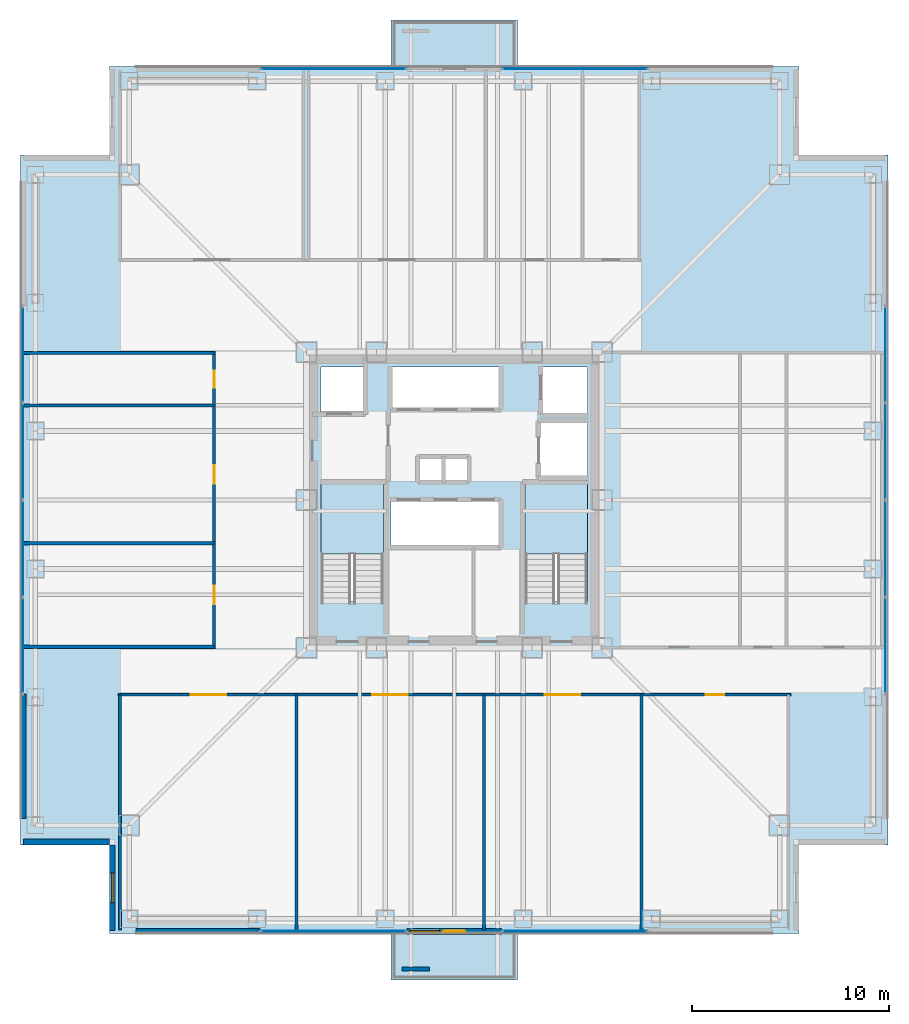
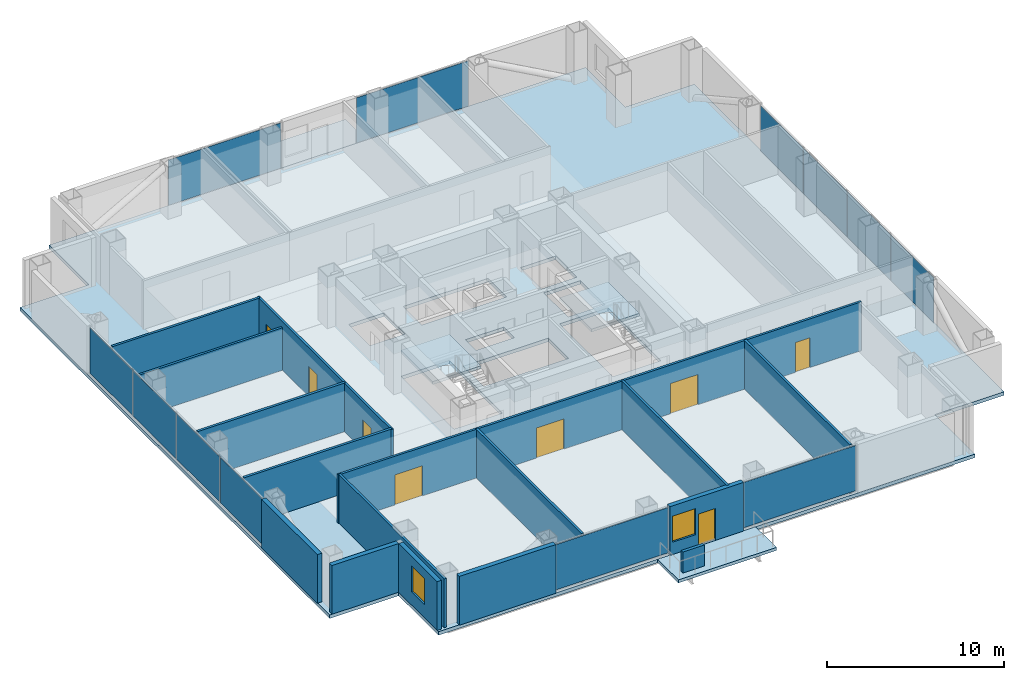
# One storey, part 9 of 14: 16 walls, 12 plates, 8 doors, 5 slabs, 2 windows, 10 openings, 8 elements without a shape of their own.
"""IFC4 building model written with IfcOpenShell, lengths in metres."""

from ifc_helpers import new_model, si_unit, direction, frame, frame_2d, origin, origin_2d, place, context, subcontext, project, spatial, polyline, rectangle, outline, extrude, material, layer, layer_set, type_object, element, fill, aggregate, save


model = new_model("IFC4")

# Units and contexts
model_context = context("Model", 3, precision=1e-05, world=origin(), true_north=direction((0.0, 1.0)))
body_context = subcontext(model_context, "Body", "Model", "MODEL_VIEW")
ifc_project = project(units=[si_unit("LENGTHUNIT", "METRE"), si_unit("AREAUNIT", "SQUARE_METRE"), si_unit("VOLUMEUNIT", "CUBIC_METRE"), si_unit("PLANEANGLEUNIT", "RADIAN"), si_unit("MASSUNIT", "GRAM", prefix="KILO")], contexts=[model_context])

# Site, building, storey
site_placement = place(None, origin())
site = spatial("IfcSite", under=ifc_project, at=site_placement, CompositionType="ELEMENT")
building_placement = place(site_placement, origin())
building = spatial("IfcBuilding", under=site, at=building_placement, Name="Trevonay Congress Spire", CompositionType="ELEMENT")
storey_placement = place(building_placement, frame((0.0, 0.0, 133.60009765625)))
storey = spatial("IfcBuildingStorey", under=building, at=storey_placement, Name="L34", CompositionType="ELEMENT", Elevation=133.60009765625)

# Curtain wall, plate
ifc_material_1 = material(Name="Pale Anodised Aluminium EN AW-6063-T6", Category="aluminium")
ifc_layer_1 = layer(ifc_material_1, 0.175048828125, Name="Pale Anodised Aluminium EN AW-6063-T6")
ifc_layer_set_1 = layer_set([ifc_layer_1], Name="Pale Anodised Aluminium EN AW-6063-T6")
curtain_wall_type = type_object("IfcCurtainWallType", Name="CW-SYS03-CONGRESS-PALE-METAL", PredefinedType="NOTDEFINED", material=ifc_layer_set_1)
curtain_wall_1_placement = place(storey_placement, origin())
curtain_wall_1 = element("IfcCurtainWall", 1, at=curtain_wall_1_placement, inside=storey, type_object=curtain_wall_type, Name="L34 SA unitised curtain wall", PredefinedType="NOTDEFINED")
ifc_material_2 = material(Name="Insulated Low-E Vision Glass IGU", Category="glass")
ifc_layer_2 = layer(ifc_material_2, 0.035888671875, Name="Insulated Low-E Vision Glass IGU")
ifc_layer_set_2 = layer_set([ifc_layer_2], Name="Insulated Low-E Vision Glass IGU")
plate_type = type_object("IfcPlateType", Name="CW-PANEL-IGU36-SILVER", PredefinedType="CURTAIN_PANEL", material=ifc_layer_set_2)
plate_1_placement = place(storey_placement, frame((-6.125, -21.8798828125, 0.119873046875), z_axis=(0.0, 0.0, 1.0), x_axis=(1.0, 0.0, 0.0)))
plate_1 = element("IfcPlate", 2, at=plate_1_placement, type_object=plate_type, Name="CW03 panel 1.1", PredefinedType="CURTAIN_PANEL", context=body_context, shape_type="SweptSolid", body=[
    extrude(rectangle(XDim=7.330078125, YDim=0.035888671875, at=origin_2d()), origin(), (0.0, 0.0, 1.0), 3.1201171875),
])
aggregate(curtain_wall_1, [plate_1])

curtain_wall_2_placement = place(storey_placement, origin())
curtain_wall_2 = element("IfcCurtainWall", 3, at=curtain_wall_2_placement, inside=storey, type_object=curtain_wall_type, Name="L34 SB unitised curtain wall", PredefinedType="NOTDEFINED")
plate_2_placement = place(storey_placement, frame((6.125, -21.8798828125, 0.119873046875), z_axis=(0.0, 0.0, 1.0), x_axis=(1.0, 0.0, 0.0)))
plate_2 = element("IfcPlate", 4, at=plate_2_placement, type_object=plate_type, Name="CW03 panel 1.1", PredefinedType="CURTAIN_PANEL", context=body_context, shape_type="SweptSolid", body=[
    extrude(rectangle(XDim=7.330078125, YDim=0.035888671875, at=origin_2d()), origin(), (0.0, 0.0, 1.0), 3.1201171875),
])
aggregate(curtain_wall_2, [plate_2])

curtain_wall_3_placement = place(storey_placement, origin())
curtain_wall_3 = element("IfcCurtainWall", 5, at=curtain_wall_3_placement, inside=storey, type_object=curtain_wall_type, Name="L34 NA unitised curtain wall", PredefinedType="NOTDEFINED")
plate_3_placement = place(storey_placement, frame((-6.125, 21.8798828125, 0.119873046875), z_axis=(0.0, 0.0, 1.0), x_axis=(1.0, 0.0, 0.0)))
plate_3 = element("IfcPlate", 6, at=plate_3_placement, type_object=plate_type, Name="CW03 panel 1.1", PredefinedType="CURTAIN_PANEL", context=body_context, shape_type="SweptSolid", body=[
    extrude(rectangle(XDim=7.330078125, YDim=0.035888671875, at=origin_2d()), origin(), (0.0, 0.0, 1.0), 3.1201171875),
])
aggregate(curtain_wall_3, [plate_3])

curtain_wall_4_placement = place(storey_placement, origin())
curtain_wall_4 = element("IfcCurtainWall", 7, at=curtain_wall_4_placement, inside=storey, type_object=curtain_wall_type, Name="L34 NB unitised curtain wall", PredefinedType="NOTDEFINED")
plate_4_placement = place(storey_placement, frame((6.125, 21.8798828125, 0.119873046875), z_axis=(0.0, 0.0, 1.0), x_axis=(1.0, 0.0, 0.0)))
plate_4 = element("IfcPlate", 8, at=plate_4_placement, type_object=plate_type, Name="CW03 panel 1.1", PredefinedType="CURTAIN_PANEL", context=body_context, shape_type="SweptSolid", body=[
    extrude(rectangle(XDim=7.330078125, YDim=0.035888671875, at=origin_2d()), origin(), (0.0, 0.0, 1.0), 3.1201171875),
])
aggregate(curtain_wall_4, [plate_4])

# Curtain wall, plates
curtain_wall_5_placement = place(storey_placement, origin())
curtain_wall_5 = element("IfcCurtainWall", 9, at=curtain_wall_5_placement, inside=storey, type_object=curtain_wall_type, Name="L34 W unitised curtain wall", PredefinedType="NOTDEFINED")
plate_5_placement = place(storey_placement, frame((-21.8798828125, -7.37255859375, 0.119873046875), z_axis=(0.0, 0.0, 1.0), x_axis=(0.0, 1.0, 0.0)))
plate_5 = element("IfcPlate", 10, at=plate_5_placement, type_object=plate_type, Name="CW03 panel 1.1", PredefinedType="CURTAIN_PANEL", context=body_context, shape_type="SweptSolid", body=[
    extrude(rectangle(XDim=4.8349609375, YDim=0.035888671875, at=origin_2d()), origin(), (0.0, 0.0, 1.0), 3.1201171875),
])
plate_6_placement = place(storey_placement, frame((-21.8798828125, -2.46240234375, 0.119873046875), z_axis=(0.0, 0.0, 1.0), x_axis=(0.0, 1.0, 0.0)))
plate_6 = element("IfcPlate", 11, at=plate_6_placement, type_object=plate_type, Name="CW03 panel 2.1", PredefinedType="CURTAIN_PANEL", context=body_context, shape_type="SweptSolid", body=[
    extrude(rectangle(XDim=4.864990234375, YDim=0.035888671875, at=origin_2d()), origin(), (0.0, 0.0, 1.0), 3.1201171875),
])
plate_7_placement = place(storey_placement, frame((-21.8798828125, 2.46240234375, 0.119873046875), z_axis=(0.0, 0.0, 1.0), x_axis=(0.0, 1.0, 0.0)))
plate_7 = element("IfcPlate", 12, at=plate_7_placement, type_object=plate_type, Name="CW03 panel 3.1", PredefinedType="CURTAIN_PANEL", context=body_context, shape_type="SweptSolid", body=[
    extrude(rectangle(XDim=4.864990234375, YDim=0.035888671875, at=origin_2d()), origin(), (0.0, 0.0, 1.0), 3.1201171875),
])
plate_8_placement = place(storey_placement, frame((-21.8798828125, 7.37255859375, 0.119873046875), z_axis=(0.0, 0.0, 1.0), x_axis=(0.0, 1.0, 0.0)))
plate_8 = element("IfcPlate", 13, at=plate_8_placement, type_object=plate_type, Name="CW03 panel 4.1", PredefinedType="CURTAIN_PANEL", context=body_context, shape_type="SweptSolid", body=[
    extrude(rectangle(XDim=4.8349609375, YDim=0.035888671875, at=origin_2d()), origin(), (0.0, 0.0, 1.0), 3.1201171875),
])
aggregate(curtain_wall_5, [plate_5, plate_6, plate_7, plate_8])

curtain_wall_6_placement = place(storey_placement, origin())
curtain_wall_6 = element("IfcCurtainWall", 14, at=curtain_wall_6_placement, inside=storey, type_object=curtain_wall_type, Name="L34 E unitised curtain wall", PredefinedType="NOTDEFINED")
plate_9_placement = place(storey_placement, frame((21.8798828125, -7.37255859375, 0.119873046875), z_axis=(0.0, 0.0, 1.0), x_axis=(0.0, 1.0, 0.0)))
plate_9 = element("IfcPlate", 15, at=plate_9_placement, type_object=plate_type, Name="CW03 panel 1.1", PredefinedType="CURTAIN_PANEL", context=body_context, shape_type="SweptSolid", body=[
    extrude(rectangle(XDim=4.8349609375, YDim=0.035888671875, at=origin_2d()), origin(), (0.0, 0.0, 1.0), 3.1201171875),
])
plate_10_placement = place(storey_placement, frame((21.8798828125, -2.46240234375, 0.119873046875), z_axis=(0.0, 0.0, 1.0), x_axis=(0.0, 1.0, 0.0)))
plate_10 = element("IfcPlate", 16, at=plate_10_placement, type_object=plate_type, Name="CW03 panel 2.1", PredefinedType="CURTAIN_PANEL", context=body_context, shape_type="SweptSolid", body=[
    extrude(rectangle(XDim=4.864990234375, YDim=0.035888671875, at=origin_2d()), origin(), (0.0, 0.0, 1.0), 3.1201171875),
])
plate_11_placement = place(storey_placement, frame((21.8798828125, 2.46240234375, 0.119873046875), z_axis=(0.0, 0.0, 1.0), x_axis=(0.0, 1.0, 0.0)))
plate_11 = element("IfcPlate", 17, at=plate_11_placement, type_object=plate_type, Name="CW03 panel 3.1", PredefinedType="CURTAIN_PANEL", context=body_context, shape_type="SweptSolid", body=[
    extrude(rectangle(XDim=4.864990234375, YDim=0.035888671875, at=origin_2d()), origin(), (0.0, 0.0, 1.0), 3.1201171875),
])
plate_12_placement = place(storey_placement, frame((21.8798828125, 7.37255859375, 0.119873046875), z_axis=(0.0, 0.0, 1.0), x_axis=(0.0, 1.0, 0.0)))
plate_12 = element("IfcPlate", 18, at=plate_12_placement, type_object=plate_type, Name="CW03 panel 4.1", PredefinedType="CURTAIN_PANEL", context=body_context, shape_type="SweptSolid", body=[
    extrude(rectangle(XDim=4.8349609375, YDim=0.035888671875, at=origin_2d()), origin(), (0.0, 0.0, 1.0), 3.1201171875),
])
aggregate(curtain_wall_6, [plate_9, plate_10, plate_11, plate_12])

# Stair, slab
ifc_material_3 = material(Name="Concrete C40/50", Category="concrete")
stair_type_1 = type_object("IfcStairType", Name="STR-ST-1", PredefinedType="HALF_TURN_STAIR", material=ifc_material_3)
stair_1_placement = place(storey_placement, origin())
stair_1 = element("IfcStair", 19, at=stair_1_placement, inside=storey, type_object=stair_type_1, Name="L34 Protected Exit Stair ST-1", PredefinedType="HALF_TURN_STAIR")
ifc_layer_3 = layer(ifc_material_3, 0.199951171875, Name="Concrete C40/50")
ifc_layer_set_3 = layer_set([ifc_layer_3], Name="Concrete C40/50")
slab_type_1 = type_object("IfcSlabType", Name="SLB-STAIR-LAND-200", PredefinedType="LANDING", material=ifc_layer_set_3)
slab_1_placement = place(storey_placement, frame((0.0, 0.0, 1.599853515625)))
slab_1 = element("IfcSlab", 20, at=slab_1_placement, type_object=slab_type_1, Name="ST-1 landing 1", PredefinedType="LANDING", context=body_context, shape_type="SweptSolid", body=[
    extrude(outline(polyline([(-3.60009765625, -2.72998046875), (-3.60009765625, 0.85009765625), (-6.75, 0.85009765625), (-6.75, -2.72998046875), (-3.60009765625, -2.72998046875)])), origin(), (0.0, 0.0, 1.0), 0.199951171875),
])
aggregate(stair_1, [slab_1])

stair_type_2 = type_object("IfcStairType", Name="STR-ST-2", PredefinedType="HALF_TURN_STAIR", material=ifc_material_3)
stair_2_placement = place(storey_placement, origin())
stair_2 = element("IfcStair", 21, at=stair_2_placement, inside=storey, type_object=stair_type_2, Name="L34 Protected Exit Stair ST-2", PredefinedType="HALF_TURN_STAIR")
slab_2_placement = place(storey_placement, frame((0.0, 0.0, 1.599853515625)))
slab_2 = element("IfcSlab", 22, at=slab_2_placement, type_object=slab_type_1, Name="ST-2 landing 1", PredefinedType="LANDING", context=body_context, shape_type="SweptSolid", body=[
    extrude(outline(polyline([(6.75, -2.72998046875), (6.75, 0.85009765625), (3.60009765625, 0.85009765625), (3.60009765625, -2.72998046875), (6.75, -2.72998046875)])), origin(), (0.0, 0.0, 1.0), 0.199951171875),
])
aggregate(stair_2, [slab_2])

# Slabs
ifc_layer_4 = layer(ifc_material_3, 0.239990234375, Name="Concrete C40/50")
ifc_layer_set_4 = layer_set([ifc_layer_4], Name="Concrete C40/50")
slab_type_2 = type_object("IfcSlabType", Name="SLB-TOW2-240", PredefinedType="FLOOR", material=ifc_layer_set_4)
slab_3_placement = place(storey_placement, frame((0.0, 0.0, -0.239990234375)))
element("IfcSlab", 23, at=slab_3_placement, inside=storey, type_object=slab_type_2, Name="L34 structural floor slab", PredefinedType="FLOOR", context=body_context, shape_type="SweptSolid", body=[
    extrude(outline(polyline([(-17.5, -22.0), (17.5, -22.0), (17.5, -17.5), (22.0, -17.5), (22.0, 17.5), (17.5, 17.5), (17.5, 22.0), (-17.5, 22.0), (-17.5, 17.5), (-22.0, 17.5), (-22.0, -17.5), (-17.5, -17.5), (-17.5, -22.0)]), holes=[polyline([(-3.60009765625, -5.14990234375), (-3.60009765625, 0.85009765625), (-6.75, 0.85009765625), (-6.75, -5.14990234375), (-3.60009765625, -5.14990234375)]), polyline([(6.75, -5.14990234375), (6.75, 0.85009765625), (3.60009765625, 0.85009765625), (3.60009765625, -5.14990234375), (6.75, -5.14990234375)]), polyline([(-3.199951171875, -2.35009765625), (2.340087890625, -2.35009765625), (2.340087890625, -0.050048828125), (-3.199951171875, -0.050048828125), (-3.199951171875, -2.35009765625)]), polyline([(-3.199951171875, 4.64990234375), (2.340087890625, 4.64990234375), (2.340087890625, 6.75), (-3.199951171875, 6.75), (-3.199951171875, 4.64990234375)]), polyline([(-6.75, 4.35009765625), (-4.449951171875, 4.35009765625), (-4.449951171875, 6.75), (-6.75, 6.75), (-6.75, 4.35009765625)]), polyline([(4.449951171875, 4.35009765625), (6.75, 4.35009765625), (6.75, 6.75), (4.449951171875, 6.75), (4.449951171875, 4.35009765625)]), polyline([(4.35009765625, 1.199951171875), (6.75, 1.199951171875), (6.75, 3.949951171875), (4.35009765625, 3.949951171875), (4.35009765625, 1.199951171875)]), polyline([(-1.800048828125, 0.949951171875), (0.699951171875, 0.949951171875), (0.699951171875, 2.14990234375), (-1.800048828125, 2.14990234375), (-1.800048828125, 0.949951171875)])]), origin(), (0.0, 0.0, 1.0), 0.239990234375),
])
ifc_layer_5 = layer(ifc_material_3, 0.2099609375, Name="Concrete C40/50")
ifc_layer_set_5 = layer_set([ifc_layer_5], Name="Concrete C40/50")
slab_type_3 = type_object("IfcSlabType", Name="SLB-TREEBAL-210", PredefinedType="FLOOR", material=ifc_layer_set_5)
slab_4_placement = place(storey_placement, frame((0.0, 0.0, -0.210205078125)))
element("IfcSlab", 24, at=slab_4_placement, inside=storey, type_object=slab_type_3, Name="L34 cantilevered tree-planter balcony pod S", PredefinedType="FLOOR", context=body_context, shape_type="SweptSolid", body=[
    extrude(outline(polyline([(-3.199951171875, -24.35009765625), (3.199951171875, -24.35009765625), (3.199951171875, -22.0), (-3.199951171875, -22.0), (-3.199951171875, -24.35009765625)])), origin(), (0.0, 0.0, 1.0), 0.210205078125),
])
slab_5_placement = place(storey_placement, frame((0.0, 0.0, -0.210205078125)))
element("IfcSlab", 25, at=slab_5_placement, inside=storey, type_object=slab_type_3, Name="L34 cantilevered tree-planter balcony pod N", PredefinedType="FLOOR", context=body_context, shape_type="SweptSolid", body=[
    extrude(outline(polyline([(-3.199951171875, 22.0), (3.199951171875, 22.0), (3.199951171875, 24.35009765625), (-3.199951171875, 24.35009765625), (-3.199951171875, 22.0)])), origin(), (0.0, 0.0, 1.0), 0.210205078125),
])

# Wall, openings, doors
ifc_layer_6 = layer(ifc_material_3, 0.14990234375, Name="Concrete C40/50")
ifc_layer_set_6 = layer_set([ifc_layer_6], Name="Concrete C40/50")
wall_type_1 = type_object("IfcWallType", Name="WAL-CORR-150", PredefinedType="PARTITIONING", material=ifc_layer_set_6)
wall_1_placement = place(storey_placement, frame((-17.070068359375, -9.8798828125, 0.0), z_axis=(0.0, 0.0, 1.0), x_axis=(1.0, 0.0, 0.0)))
wall_1 = element("IfcWall", 26, at=wall_1_placement, inside=storey, type_object=wall_type_1, Name="L34 interior wall WP-L34S-COR", PredefinedType="PARTITIONING", context=body_context, shape_type="SweptSolid", body=[
    extrude(rectangle(XDim=34.14013671875, YDim=0.14990234375, at=frame_2d((17.070068359375, 0.0))), origin(), (0.0, 0.0, 1.0), 3.35986328125),
])
opening_1_placement = place(wall_1_placement, frame((3.695068359375, 0.0, 0.0)))
opening_1 = element("IfcOpeningElement", 27, at=opening_1_placement, cuts=wall_1, Name="Opening D09", PredefinedType="OPENING", context=body_context, shape_type="SweptSolid", body=[
    extrude(rectangle(XDim=1.800048828125, YDim=2.080078125, at=frame_2d((0.89990234375, 1.0400390625))), frame((0.0, 0.0849609375, 0.0), z_axis=(0.0, -1.0, 0.0), x_axis=(1.0, 0.0, 0.0)), (0.0, 0.0, 1.0), 0.169921875),
])
opening_2_placement = place(wall_1_placement, frame((12.919921875, 0.0, 0.0)))
opening_2 = element("IfcOpeningElement", 28, at=opening_2_placement, cuts=wall_1, Name="Opening D09", PredefinedType="OPENING", context=body_context, shape_type="SweptSolid", body=[
    extrude(rectangle(XDim=1.800048828125, YDim=2.080078125, at=frame_2d((0.89990234375, 1.0400390625))), frame((0.0, 0.0849609375, 0.0), z_axis=(0.0, -1.0, 0.0), x_axis=(1.0, 0.0, 0.0)), (0.0, 0.0, 1.0), 0.169921875),
])
opening_3_placement = place(wall_1_placement, frame((21.669921875, 0.0, 0.0)))
opening_3 = element("IfcOpeningElement", 29, at=opening_3_placement, cuts=wall_1, Name="Opening D09", PredefinedType="OPENING", context=body_context, shape_type="SweptSolid", body=[
    extrude(rectangle(XDim=1.800048828125, YDim=2.080078125, at=frame_2d((0.89990234375, 1.0400390625))), frame((0.0, 0.0849609375, 0.0), z_axis=(0.0, -1.0, 0.0), x_axis=(1.0, 0.0, 0.0)), (0.0, 0.0, 1.0), 0.169921875),
])
opening_4_placement = place(wall_1_placement, frame((29.820068359375, 0.0, 0.0)))
opening_4 = element("IfcOpeningElement", 30, at=opening_4_placement, cuts=wall_1, Name="Opening D07", PredefinedType="OPENING", context=body_context, shape_type="SweptSolid", body=[
    extrude(rectangle(XDim=0.949951171875, YDim=2.06005859375, at=frame_2d((0.47509765625, 1.030029296875))), frame((0.0, 0.0849609375, 0.0), z_axis=(0.0, -1.0, 0.0), x_axis=(1.0, 0.0, 0.0)), (0.0, 0.0, 1.0), 0.169921875),
])
door_type_1 = type_object("IfcDoorType", Name="DOR-CONF-DBL", OperationType="DOUBLE_DOOR_SINGLE_SWING", PredefinedType="DOOR", material=ifc_material_1)
door_1_placement = place(opening_1_placement, origin())
door_1 = element("IfcDoor", 31, at=door_1_placement, inside=storey, type_object=door_type_1, Name="L34 Diplomatic Academy Lecture Room 1 Door", OperationType="DOUBLE_DOOR_SINGLE_SWING", OverallHeight=2.080078125, OverallWidth=1.800048828125, PredefinedType="DOOR", context=body_context, shape_type="SweptSolid", body=[
    extrude(rectangle(XDim=1.800048828125, YDim=2.080078125, at=frame_2d((0.89990234375, 1.0400390625))), frame((0.0, 0.02490234375, 0.0), z_axis=(0.0, -1.0, 0.0), x_axis=(1.0, 0.0, 0.0)), (0.0, 0.0, 1.0), 0.050048828125),
])
fill(opening_1, door_1)
door_2_placement = place(opening_2_placement, origin())
door_2 = element("IfcDoor", 32, at=door_2_placement, inside=storey, type_object=door_type_1, Name="L34 Language Lab Classroom 2 Door", OperationType="DOUBLE_DOOR_SINGLE_SWING", OverallHeight=2.080078125, OverallWidth=1.800048828125, PredefinedType="DOOR", context=body_context, shape_type="SweptSolid", body=[
    extrude(rectangle(XDim=1.800048828125, YDim=2.080078125, at=frame_2d((0.89990234375, 1.0400390625))), frame((0.0, 0.02490234375, 0.0), z_axis=(0.0, -1.0, 0.0), x_axis=(1.0, 0.0, 0.0)), (0.0, 0.0, 1.0), 0.050048828125),
])
fill(opening_2, door_2)
door_3_placement = place(opening_3_placement, origin())
door_3 = element("IfcDoor", 33, at=door_3_placement, inside=storey, type_object=door_type_1, Name="L34 Reference Library Reading Hall Door", OperationType="DOUBLE_DOOR_SINGLE_SWING", OverallHeight=2.080078125, OverallWidth=1.800048828125, PredefinedType="DOOR", context=body_context, shape_type="SweptSolid", body=[
    extrude(rectangle(XDim=1.800048828125, YDim=2.080078125, at=frame_2d((0.89990234375, 1.0400390625))), frame((0.0, 0.02490234375, 0.0), z_axis=(0.0, -1.0, 0.0), x_axis=(1.0, 0.0, 0.0)), (0.0, 0.0, 1.0), 0.050048828125),
])
fill(opening_3, door_3)
door_type_2 = type_object("IfcDoorType", Name="DOR-OFFICE-95", OperationType="NOTDEFINED", PredefinedType="DOOR", material=ifc_material_1)
door_4_placement = place(opening_4_placement, origin())
door_4 = element("IfcDoor", 34, at=door_4_placement, inside=storey, type_object=door_type_2, Name="L34 Library Catalogue Office Door", OperationType="SINGLE_SWING_LEFT", OverallHeight=2.06005859375, OverallWidth=0.949951171875, PredefinedType="DOOR", context=body_context, shape_type="SweptSolid", body=[
    extrude(rectangle(XDim=0.949951171875, YDim=2.06005859375, at=frame_2d((0.47509765625, 1.030029296875))), frame((0.0, 0.02490234375, 0.0), z_axis=(0.0, -1.0, 0.0), x_axis=(1.0, 0.0, 0.0)), (0.0, 0.0, 1.0), 0.050048828125),
])
fill(opening_4, door_4)

wall_2_placement = place(storey_placement, frame((-12.179931640625, -7.570068359375, 0.0), z_axis=(0.0, 0.0, 1.0), x_axis=(0.0, 1.0, 0.0)))
wall_2 = element("IfcWall", 35, at=wall_2_placement, inside=storey, type_object=wall_type_1, Name="L34 interior wall WP-L34W-COR", PredefinedType="PARTITIONING", context=body_context, shape_type="SweptSolid", body=[
    extrude(rectangle(XDim=15.14013671875, YDim=0.14990234375, at=frame_2d((7.570068359375, 0.0))), origin(), (0.0, 0.0, 1.0), 3.35986328125),
])
opening_5_placement = place(wall_2_placement, frame((2.27001953125, 0.0, 0.0)))
opening_5 = element("IfcOpeningElement", 36, at=opening_5_placement, cuts=wall_2, Name="Opening D07", PredefinedType="OPENING", context=body_context, shape_type="SweptSolid", body=[
    extrude(rectangle(XDim=0.949951171875, YDim=2.06005859375, at=frame_2d((0.47509765625, 1.030029296875))), frame((0.0, 0.0849609375, 0.0), z_axis=(0.0, -1.0, 0.0), x_axis=(1.0, 0.0, 0.0)), (0.0, 0.0, 1.0), 0.169921875),
])
opening_6_placement = place(wall_2_placement, frame((8.39501953125, 0.0, 0.0)))
opening_6 = element("IfcOpeningElement", 37, at=opening_6_placement, cuts=wall_2, Name="Opening D07", PredefinedType="OPENING", context=body_context, shape_type="SweptSolid", body=[
    extrude(rectangle(XDim=0.949951171875, YDim=2.06005859375, at=frame_2d((0.47509765625, 1.030029296875))), frame((0.0, 0.0849609375, 0.0), z_axis=(0.0, -1.0, 0.0), x_axis=(1.0, 0.0, 0.0)), (0.0, 0.0, 1.0), 0.169921875),
])
opening_7_placement = place(wall_2_placement, frame((13.27001953125, 0.0, 0.0)))
opening_7 = element("IfcOpeningElement", 38, at=opening_7_placement, cuts=wall_2, Name="Opening D10", PredefinedType="OPENING", context=body_context, shape_type="SweptSolid", body=[
    extrude(rectangle(XDim=0.85009765625, YDim=2.050048828125, at=frame_2d((0.425048828125, 1.02490234375))), frame((0.0, 0.0849609375, 0.0), z_axis=(0.0, -1.0, 0.0), x_axis=(1.0, 0.0, 0.0)), (0.0, 0.0, 1.0), 0.169921875),
])
door_5_placement = place(opening_5_placement, origin())
door_5 = element("IfcDoor", 39, at=door_5_placement, inside=storey, type_object=door_type_2, Name="L34 Faculty Office West Door", OperationType="SINGLE_SWING_RIGHT", OverallHeight=2.06005859375, OverallWidth=0.949951171875, PredefinedType="DOOR", context=body_context, shape_type="SweptSolid", body=[
    extrude(rectangle(XDim=0.949951171875, YDim=2.06005859375, at=frame_2d((0.47509765625, 1.030029296875))), frame((0.0, 0.02490234375, 0.0), z_axis=(0.0, -1.0, 0.0), x_axis=(1.0, 0.0, 0.0)), (0.0, 0.0, 1.0), 0.050048828125),
])
fill(opening_5, door_5)
door_6_placement = place(opening_6_placement, origin())
door_6 = element("IfcDoor", 40, at=door_6_placement, inside=storey, type_object=door_type_2, Name="L34 Tutorial Seminar Room Door", OperationType="SINGLE_SWING_LEFT", OverallHeight=2.06005859375, OverallWidth=0.949951171875, PredefinedType="DOOR", context=body_context, shape_type="SweptSolid", body=[
    extrude(rectangle(XDim=0.949951171875, YDim=2.06005859375, at=frame_2d((0.47509765625, 1.030029296875))), frame((0.0, 0.02490234375, 0.0), z_axis=(0.0, -1.0, 0.0), x_axis=(1.0, 0.0, 0.0)), (0.0, 0.0, 1.0), 0.050048828125),
])
fill(opening_6, door_6)
door_type_3 = type_object("IfcDoorType", Name="DOR-WC-85", OperationType="NOTDEFINED", PredefinedType="DOOR", material=ifc_material_1)
door_7_placement = place(opening_7_placement, origin())
door_7 = element("IfcDoor", 41, at=door_7_placement, inside=storey, type_object=door_type_3, Name="L34 Accessible WC Door", OperationType="SINGLE_SWING_RIGHT", OverallHeight=2.050048828125, OverallWidth=0.85009765625, PredefinedType="DOOR", context=body_context, shape_type="SweptSolid", body=[
    extrude(rectangle(XDim=0.85009765625, YDim=2.050048828125, at=frame_2d((0.425048828125, 1.02490234375))), frame((0.0, 0.02490234375, 0.0), z_axis=(0.0, -1.0, 0.0), x_axis=(1.0, 0.0, 0.0)), (0.0, 0.0, 1.0), 0.050048828125),
])
fill(opening_7, door_7)

# Wall
ifc_material_4 = material(Name="Precast concrete C40/50", Category="concrete")
ifc_layer_7 = layer(ifc_material_4, 0.300048828125, Name="Precast concrete C40/50")
ifc_layer_set_7 = layer_set([ifc_layer_7], Name="Precast concrete C40/50")
wall_type_2 = type_object("IfcWallType", Name="WAL-EXT-PRECAST-300", PredefinedType="SOLIDWALL", material=ifc_layer_set_7)
wall_3_placement = place(storey_placement, frame((-16.14990234375, -21.8798828125, 0.0), z_axis=(0.0, 0.0, 1.0), x_axis=(1.0, 0.0, 0.0)))
element("IfcWall", 42, at=wall_3_placement, inside=storey, type_object=wall_type_2, Name="L34 SL braced-bay exterior pier wall", PredefinedType="SOLIDWALL", context=body_context, shape_type="SweptSolid", body=[
    extrude(rectangle(XDim=6.2998046875, YDim=0.300048828125, at=frame_2d((3.14990234375, 0.0))), origin(), (0.0, 0.0, 1.0), 3.35986328125),
])

# Wall, openings, door, window
wall_4_placement = place(storey_placement, frame((-2.39990234375, -21.8798828125, 0.0), z_axis=(0.0, 0.0, 1.0), x_axis=(1.0, 0.0, 0.0)))
wall_4 = element("IfcWall", 43, at=wall_4_placement, inside=storey, type_object=wall_type_2, Name="L34 S glazed balcony portal exterior wall", PredefinedType="SOLIDWALL", context=body_context, shape_type="SweptSolid", body=[
    extrude(rectangle(XDim=4.7998046875, YDim=0.300048828125, at=frame_2d((2.39990234375, 0.0))), origin(), (0.0, 0.0, 1.0), 3.35986328125),
])
opening_8_placement = place(wall_4_placement, frame((1.85009765625, 0.0, 0.0)))
opening_8 = element("IfcOpeningElement", 44, at=opening_8_placement, cuts=wall_4, Name="Opening D03", PredefinedType="OPENING", context=body_context, shape_type="SweptSolid", body=[
    extrude(rectangle(XDim=1.10009765625, YDim=2.199951171875, at=frame_2d((0.550048828125, 1.10009765625))), frame((0.0, 0.16015625, 0.0), z_axis=(0.0, -1.0, 0.0), x_axis=(1.0, 0.0, 0.0)), (0.0, 0.0, 1.0), 0.320068359375),
])
opening_9_placement = place(wall_4_placement, frame((0.14990234375, 0.0, 0.85009765625)))
opening_9 = element("IfcOpeningElement", 45, at=opening_9_placement, cuts=wall_4, Name="Opening WN03", PredefinedType="OPENING", context=body_context, shape_type="SweptSolid", body=[
    extrude(rectangle(XDim=1.5, YDim=1.800048828125, at=frame_2d((0.75, 0.89990234375))), frame((0.0, 0.16015625, 0.0), z_axis=(0.0, -1.0, 0.0), x_axis=(1.0, 0.0, 0.0)), (0.0, 0.0, 1.0), 0.320068359375),
])
door_type_4 = type_object("IfcDoorType", Name="DOR-EXT-BAL-110", OperationType="NOTDEFINED", PredefinedType="DOOR", material=ifc_material_1)
door_8_placement = place(opening_8_placement, origin())
door_8 = element("IfcDoor", 46, at=door_8_placement, inside=storey, type_object=door_type_4, Name="L34 S glazed outdoor terrace and balcony door", OperationType="SINGLE_SWING_LEFT", OverallHeight=2.199951171875, OverallWidth=1.10009765625, PredefinedType="DOOR", context=body_context, shape_type="SweptSolid", body=[
    extrude(rectangle(XDim=1.10009765625, YDim=2.199951171875, at=frame_2d((0.550048828125, 1.10009765625))), frame((0.0, 0.02490234375, 0.0), z_axis=(0.0, -1.0, 0.0), x_axis=(1.0, 0.0, 0.0)), (0.0, 0.0, 1.0), 0.050048828125),
])
fill(opening_8, door_8)
window_type = type_object("IfcWindowType", Name="WIN-NOTCH-150X180", PartitioningType="SINGLE_PANEL", PredefinedType="WINDOW", material=ifc_material_2)
window_1_placement = place(opening_9_placement, origin())
window_1 = element("IfcWindow", 47, at=window_1_placement, inside=storey, type_object=window_type, Name="L34 S balcony sidelight window L", OverallHeight=1.800048828125, OverallWidth=1.5, PartitioningType="SINGLE_PANEL", PredefinedType="WINDOW", context=body_context, shape_type="SweptSolid", body=[
    extrude(rectangle(XDim=1.5, YDim=1.800048828125, at=frame_2d((0.75, 0.89990234375))), frame((0.0, 0.030029296875, 0.0), z_axis=(0.0, -1.0, 0.0), x_axis=(1.0, 0.0, 0.0)), (0.0, 0.0, 1.0), 0.06005859375),
])
fill(opening_9, window_1)

# Wall
wall_5_placement = place(storey_placement, frame((-21.8798828125, -16.14990234375, 0.0), z_axis=(0.0, 0.0, 1.0), x_axis=(0.0, 1.0, 0.0)))
element("IfcWall", 48, at=wall_5_placement, inside=storey, type_object=wall_type_2, Name="L34 WL braced-bay exterior pier wall", PredefinedType="SOLIDWALL", context=body_context, shape_type="SweptSolid", body=[
    extrude(rectangle(XDim=6.2998046875, YDim=0.300048828125, at=frame_2d((3.14990234375, 0.0))), origin(), (0.0, 0.0, 1.0), 3.35986328125),
])

# Wall, opening, window
wall_6_placement = place(storey_placement, frame((-17.35009765625, -21.85009765625, 0.0), z_axis=(0.0, 0.0, 1.0), x_axis=(0.0, 1.0, 0.0)))
wall_6 = element("IfcWall", 49, at=wall_6_placement, inside=storey, type_object=wall_type_2, Name="L34 SW re-entrant notch exterior wall 1", PredefinedType="SOLIDWALL", context=body_context, shape_type="SweptSolid", body=[
    extrude(rectangle(XDim=4.35009765625, YDim=0.300048828125, at=frame_2d((2.175048828125, 0.0))), origin(), (0.0, 0.0, 1.0), 3.35986328125),
])
opening_10_placement = place(wall_6_placement, frame((1.425048828125, 0.0, 0.89990234375)))
opening_10 = element("IfcOpeningElement", 50, at=opening_10_placement, cuts=wall_6, Name="Opening WN03", PredefinedType="OPENING", context=body_context, shape_type="SweptSolid", body=[
    extrude(rectangle(XDim=1.5, YDim=1.800048828125, at=frame_2d((0.75, 0.89990234375))), frame((0.0, 0.16015625, 0.0), z_axis=(0.0, -1.0, 0.0), x_axis=(1.0, 0.0, 0.0)), (0.0, 0.0, 1.0), 0.320068359375),
])
window_2_placement = place(opening_10_placement, origin())
window_2 = element("IfcWindow", 51, at=window_2_placement, inside=storey, type_object=window_type, Name="L34 SW corner notch window", OverallHeight=1.800048828125, OverallWidth=1.5, PartitioningType="SINGLE_PANEL", PredefinedType="WINDOW", context=body_context, shape_type="SweptSolid", body=[
    extrude(rectangle(XDim=1.5, YDim=1.800048828125, at=frame_2d((0.75, 0.89990234375))), frame((0.0, 0.030029296875, 0.0), z_axis=(0.0, -1.0, 0.0), x_axis=(1.0, 0.0, 0.0)), (0.0, 0.0, 1.0), 0.06005859375),
])
fill(opening_10, window_2)

# Walls
wall_7_placement = place(storey_placement, frame((-21.85009765625, -17.35009765625, 0.0), z_axis=(0.0, 0.0, 1.0), x_axis=(1.0, 0.0, 0.0)))
element("IfcWall", 52, at=wall_7_placement, inside=storey, type_object=wall_type_2, Name="L34 SW re-entrant notch exterior wall 2", PredefinedType="SOLIDWALL", context=body_context, shape_type="SweptSolid", body=[
    extrude(rectangle(XDim=4.35009765625, YDim=0.300048828125, at=frame_2d((2.175048828125, 0.0))), origin(), (0.0, 0.0, 1.0), 3.35986328125),
])
ifc_layer_8 = layer(ifc_material_3, 0.14990234375, Name="Concrete C40/50")
ifc_layer_set_8 = layer_set([ifc_layer_8], Name="Concrete C40/50")
wall_type_3 = type_object("IfcWallType", Name="WAL-PART-150", PredefinedType="PARTITIONING", material=ifc_layer_set_8)
for number, where, z_axis, x_axis, name in (
    (53, (-16.949951171875, -21.820068359375, 0.0), (0.0, 0.0, 1.0), (0.0, 1.0, 0.0), "L34 interior wall WP-L34S-DIV1"),
    (54, (-8.0, -21.820068359375, 0.0), (0.0, 0.0, 1.0), (0.0, 1.0, 0.0), "L34 interior wall WP-L34S-DIV2"),
    (55, (1.5, -21.820068359375, 0.0), (0.0, 0.0, 1.0), (0.0, 1.0, 0.0), "L34 interior wall WP-L34S-DIV3"),
    (56, (9.5, -21.820068359375, 0.0), (0.0, 0.0, 1.0), (0.0, 1.0, 0.0), "L34 interior wall WP-L34S-DIV4"),
):
    element("IfcWall", number, at=place(storey_placement, frame(where, z_axis=z_axis, x_axis=x_axis)), inside=storey, type_object=wall_type_3, Name=name, PredefinedType="PARTITIONING", context=body_context, shape_type="SweptSolid", body=[
        extrude(rectangle(XDim=11.940185546875, YDim=0.14990234375, at=frame_2d((5.97021484375, 0.0))), origin(), (0.0, 0.0, 1.0), 3.35986328125),
    ])
wall_8_placement = place(storey_placement, frame((-21.820068359375, 4.800048828125, 0.0), z_axis=(0.0, 0.0, 1.0), x_axis=(1.0, 0.0, 0.0)))
element("IfcWall", 57, at=wall_8_placement, inside=storey, type_object=wall_type_3, Name="L34 interior wall WP-L34W-DIV3", PredefinedType="PARTITIONING", context=body_context, shape_type="SweptSolid", body=[
    extrude(rectangle(XDim=9.64013671875, YDim=0.14990234375, at=frame_2d((4.820068359375, 0.0))), origin(), (0.0, 0.0, 1.0), 2.927978515625),
])
wall_9_placement = place(storey_placement, frame((-21.820068359375, 7.449951171875, 0.0), z_axis=(0.0, 0.0, 1.0), x_axis=(1.0, 0.0, 0.0)))
element("IfcWall", 58, at=wall_9_placement, inside=storey, type_object=wall_type_3, Name="L34 interior wall WP-L34W-DIV4", PredefinedType="PARTITIONING", context=body_context, shape_type="SweptSolid", body=[
    extrude(rectangle(XDim=9.64013671875, YDim=0.14990234375, at=frame_2d((4.820068359375, 0.0))), origin(), (0.0, 0.0, 1.0), 3.35986328125),
])
ifc_layer_9 = layer(ifc_material_4, 0.199951171875, Name="Precast concrete C40/50")
ifc_layer_set_9 = layer_set([ifc_layer_9], Name="Precast concrete C40/50")
wall_type_4 = type_object("IfcWallType", Name="WAL-TREE-PLANTER-200", PredefinedType="PARAPET", material=ifc_layer_set_9)
wall_10_placement = place(storey_placement, frame((-2.64990234375, -23.800048828125, 0.0), z_axis=(0.0, 0.0, 1.0), x_axis=(1.0, 0.0, 0.0)))
element("IfcWall", 59, at=wall_10_placement, inside=storey, type_object=wall_type_4, Name="L34 S cantilevered balcony tree planter box", PredefinedType="PARAPET", context=body_context, shape_type="SweptSolid", body=[
    extrude(rectangle(XDim=1.39990234375, YDim=0.199951171875, at=frame_2d((0.699951171875, 0.0))), origin(), (0.0, 0.0, 1.0), 1.449951171875),
])
ifc_layer_10 = layer(ifc_material_3, 0.1650390625, Name="Concrete C40/50")
ifc_layer_set_10 = layer_set([ifc_layer_10], Name="Concrete C40/50")
wall_type_5 = type_object("IfcWallType", Name="WAL-WET-165", PredefinedType="PLUMBINGWALL", material=ifc_layer_set_10)
for number, where, z_axis, x_axis, name in (
    (60, (-21.820068359375, -7.449951171875, 0.0), (0.0, 0.0, 1.0), (1.0, 0.0, 0.0), "L34 interior wall WP-L34W-DIV1"),
    (61, (-21.820068359375, -2.199951171875, 0.0), (0.0, 0.0, 1.0), (1.0, 0.0, 0.0), "L34 interior wall WP-L34W-DIV2"),
):
    element("IfcWall", number, at=place(storey_placement, frame(where, z_axis=z_axis, x_axis=x_axis)), inside=storey, type_object=wall_type_5, Name=name, PredefinedType="PLUMBINGWALL", context=body_context, shape_type="SweptSolid", body=[
        extrude(rectangle(XDim=9.64013671875, YDim=0.1650390625, at=frame_2d((4.820068359375, 0.0))), origin(), (0.0, 0.0, 1.0), 3.35986328125),
    ])

save(model, "model.ifc")
